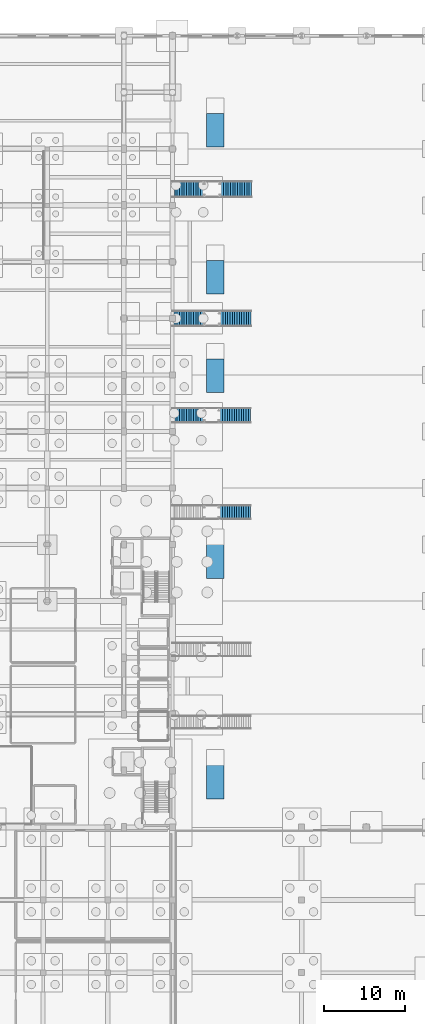
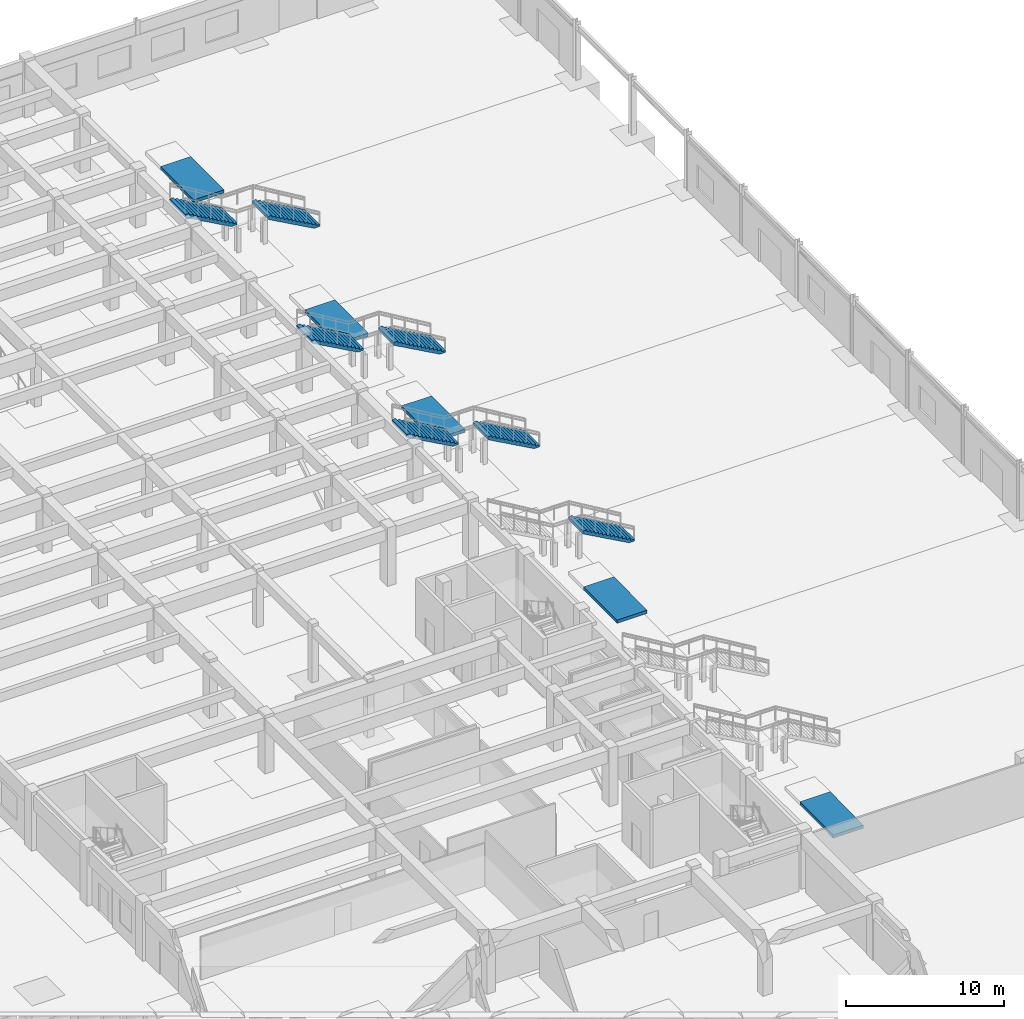
# One storey, part 65 of 84: 7 stair flights, 5 ramp flights, 9 elements without a shape of their own.
"""IFC4 building model written with IfcOpenShell, lengths in metres."""

from ifc_helpers import new_model, si_unit, direction, frame, origin, place, context, subcontext, project, spatial, polyline, outline, extrude, polygons, material, layer, layer_set, type_object, element, aggregate, save


model = new_model("IFC4")

# Units and contexts
model_context = context("Model", 3, precision=1e-05, world=origin(), true_north=direction((0.0, 1.0)))
body_context = subcontext(model_context, "Body", "Model", "MODEL_VIEW")
ifc_project = project(units=[si_unit("LENGTHUNIT", "METRE"), si_unit("AREAUNIT", "SQUARE_METRE"), si_unit("VOLUMEUNIT", "CUBIC_METRE"), si_unit("PLANEANGLEUNIT", "RADIAN"), si_unit("MASSUNIT", "GRAM", prefix="KILO")], contexts=[model_context])

# Site, building, storey
site_placement = place(None, origin())
site = spatial("IfcSite", under=ifc_project, at=site_placement, CompositionType="ELEMENT")
building_placement = place(site_placement, origin())
building = spatial("IfcBuilding", under=site, at=building_placement, Name="Larkveld Mobility Hub", CompositionType="ELEMENT")
storey_placement = place(building_placement, origin())
storey = spatial("IfcBuildingStorey", under=building, at=storey_placement, Name="L00", CompositionType="ELEMENT", Elevation=0.0)

# Stair, stair flight
ifc_material_1 = material(Name="Precast concrete C50/60", Category="concrete")
stair_type_1 = type_object("IfcStairType", Name="ST-SR-03", PredefinedType="STRAIGHT_RUN_STAIR", material=ifc_material_1)
stair_1_placement = place(storey_placement, origin())
stair_1 = element("IfcStair", 1, at=stair_1_placement, inside=storey, type_object=stair_type_1, Name="Central Bus Hall Straight Stair FS3", PredefinedType="STRAIGHT_RUN_STAIR")
stair_flight_type_1 = type_object("IfcStairFlightType", Name="SF-SR-03", PredefinedType="STRAIGHT", material=ifc_material_1)
stair_flight_1_placement = place(storey_placement, frame((161.68994140625, 67.0, 0.0), z_axis=(0.0, 0.0, 1.0), x_axis=(-1.0, 0.0, 0.0)))
stair_flight_1 = element("IfcStairFlight", 2, at=stair_flight_1_placement, type_object=stair_flight_type_1, Name="FS3 flight 1", NumberOfRisers=14, NumberOfTreads=13, PredefinedType="STRAIGHT", RiserHeight=0.160714286, TreadLength=0.29, context=body_context, shape_type="SweptSolid", body=[
    extrude(outline(polyline([(0.0, 0.0), (0.0, 0.16064453125), (0.2900390625, 0.16064453125), (0.2900390625, 0.321533203125), (0.580078125, 0.321533203125), (0.580078125, 0.482177734375), (0.8701171875, 0.482177734375), (0.8701171875, 0.642822265625), (1.159912109375, 0.642822265625), (1.159912109375, 0.803466796875), (1.449951171875, 0.803466796875), (1.449951171875, 0.96435546875), (1.739990234375, 0.96435546875), (1.739990234375, 1.125), (2.030029296875, 1.125), (2.030029296875, 1.28564453125), (2.320068359375, 1.28564453125), (2.320068359375, 1.446533203125), (2.610107421875, 1.446533203125), (2.610107421875, 1.607177734375), (2.89990234375, 1.607177734375), (2.89990234375, 1.767822265625), (3.18994140625, 1.767822265625), (3.18994140625, 1.928466796875), (3.47998046875, 1.928466796875), (3.47998046875, 2.08935546875), (3.77001953125, 2.08935546875), (3.77001953125, 2.25), (3.77001953125, 1.8720703125), (0.391845703125, 0.0), (0.0, 0.0)])), frame((0.0, 0.9150390625, 0.0), z_axis=(0.0, -1.0, 0.0), x_axis=(1.0, 0.0, 0.0)), (0.0, 0.0, 1.0), 1.830078125),
])
aggregate(stair_1, [stair_flight_1])

# Stair, stair flights
stair_type_2 = type_object("IfcStairType", Name="ST-SR-04", PredefinedType="STRAIGHT_RUN_STAIR", material=ifc_material_1)
stair_2_placement = place(storey_placement, origin())
stair_2 = element("IfcStair", 3, at=stair_2_placement, inside=storey, type_object=stair_type_2, Name="Intermodal Transfer Straight Stair FS4", PredefinedType="STRAIGHT_RUN_STAIR")
stair_flight_type_2 = type_object("IfcStairFlightType", Name="SF-SR-04", PredefinedType="STRAIGHT", material=ifc_material_1)
stair_flight_2_placement = place(storey_placement, frame((161.68994140625, 79.0, 0.0), z_axis=(0.0, 0.0, 1.0), x_axis=(-1.0, 0.0, 0.0)))
stair_flight_2 = element("IfcStairFlight", 4, at=stair_flight_2_placement, type_object=stair_flight_type_2, Name="FS4 flight 1", NumberOfRisers=14, NumberOfTreads=13, PredefinedType="STRAIGHT", RiserHeight=0.160714286, TreadLength=0.29, context=body_context, shape_type="SweptSolid", body=[
    extrude(outline(polyline([(0.0, 0.0), (0.0, 0.16064453125), (0.2900390625, 0.16064453125), (0.2900390625, 0.321533203125), (0.580078125, 0.321533203125), (0.580078125, 0.482177734375), (0.8701171875, 0.482177734375), (0.8701171875, 0.642822265625), (1.159912109375, 0.642822265625), (1.159912109375, 0.803466796875), (1.449951171875, 0.803466796875), (1.449951171875, 0.96435546875), (1.739990234375, 0.96435546875), (1.739990234375, 1.125), (2.030029296875, 1.125), (2.030029296875, 1.28564453125), (2.320068359375, 1.28564453125), (2.320068359375, 1.446533203125), (2.610107421875, 1.446533203125), (2.610107421875, 1.607177734375), (2.89990234375, 1.607177734375), (2.89990234375, 1.767822265625), (3.18994140625, 1.767822265625), (3.18994140625, 1.928466796875), (3.47998046875, 1.928466796875), (3.47998046875, 2.08935546875), (3.77001953125, 2.08935546875), (3.77001953125, 2.25), (3.77001953125, 1.8662109375), (0.40234375, 0.0), (0.0, 0.0)])), frame((0.0, 0.94482421875, 0.0), z_axis=(0.0, -1.0, 0.0), x_axis=(1.0, 0.0, 0.0)), (0.0, 0.0, 1.0), 1.889892578125),
])
stair_flight_3_placement = place(storey_placement, frame((155.77001953125, 79.0, 2.25), z_axis=(0.0, 0.0, 1.0), x_axis=(-1.0, 0.0, 0.0)))
stair_flight_3 = element("IfcStairFlight", 5, at=stair_flight_3_placement, type_object=stair_flight_type_2, Name="FS4 flight 2", NumberOfRisers=14, NumberOfTreads=13, PredefinedType="STRAIGHT", RiserHeight=0.160714286, TreadLength=0.29, context=body_context, shape_type="SweptSolid", body=[
    extrude(outline(polyline([(0.0, 0.0), (0.0, 0.16064453125), (0.2900390625, 0.16064453125), (0.2900390625, 0.321533203125), (0.580078125, 0.321533203125), (0.580078125, 0.482177734375), (0.8701171875, 0.482177734375), (0.8701171875, 0.642822265625), (1.159912109375, 0.642822265625), (1.159912109375, 0.803466796875), (1.449951171875, 0.803466796875), (1.449951171875, 0.96435546875), (1.739990234375, 0.96435546875), (1.739990234375, 1.125), (2.030029296875, 1.125), (2.030029296875, 1.28564453125), (2.320068359375, 1.28564453125), (2.320068359375, 1.446533203125), (2.610107421875, 1.446533203125), (2.610107421875, 1.607177734375), (2.89990234375, 1.607177734375), (2.89990234375, 1.767822265625), (3.18994140625, 1.767822265625), (3.18994140625, 1.928466796875), (3.47998046875, 1.928466796875), (3.47998046875, 2.08935546875), (3.77001953125, 2.08935546875), (3.77001953125, 2.25), (3.77001953125, 1.8662109375), (0.40234375, 0.0), (0.0, 0.0)])), frame((0.0, 0.94482421875, 0.0), z_axis=(0.0, -1.0, 0.0), x_axis=(1.0, 0.0, 0.0)), (0.0, 0.0, 1.0), 1.889892578125),
])
aggregate(stair_2, [stair_flight_2, stair_flight_3])

stair_type_3 = type_object("IfcStairType", Name="ST-SR-05", PredefinedType="STRAIGHT_RUN_STAIR", material=ifc_material_1)
stair_3_placement = place(storey_placement, origin())
stair_3 = element("IfcStair", 6, at=stair_3_placement, inside=storey, type_object=stair_type_3, Name="Taxi Concourse South Straight Stair FS5", PredefinedType="STRAIGHT_RUN_STAIR")
stair_flight_type_3 = type_object("IfcStairFlightType", Name="SF-SR-05", PredefinedType="STRAIGHT", material=ifc_material_1)
stair_flight_4_placement = place(storey_placement, frame((161.739990234375, 91.0, 0.0), z_axis=(0.0, 0.0, 1.0), x_axis=(-1.0, 0.0, 0.0)))
stair_flight_4 = element("IfcStairFlight", 7, at=stair_flight_4_placement, type_object=stair_flight_type_3, Name="FS5 flight 1", NumberOfRisers=14, NumberOfTreads=13, PredefinedType="STRAIGHT", RiserHeight=0.160714286, TreadLength=0.29, context=body_context, shape_type="SweptSolid", body=[
    extrude(outline(polyline([(0.0, 0.0), (0.0, 0.16064453125), (0.2900390625, 0.16064453125), (0.2900390625, 0.321533203125), (0.580078125, 0.321533203125), (0.580078125, 0.482177734375), (0.8701171875, 0.482177734375), (0.8701171875, 0.642822265625), (1.159912109375, 0.642822265625), (1.159912109375, 0.803466796875), (1.449951171875, 0.803466796875), (1.449951171875, 0.96435546875), (1.739990234375, 0.96435546875), (1.739990234375, 1.125), (2.030029296875, 1.125), (2.030029296875, 1.28564453125), (2.320068359375, 1.28564453125), (2.320068359375, 1.446533203125), (2.610107421875, 1.446533203125), (2.610107421875, 1.607177734375), (2.89990234375, 1.607177734375), (2.89990234375, 1.767822265625), (3.18994140625, 1.767822265625), (3.18994140625, 1.928466796875), (3.47998046875, 1.928466796875), (3.47998046875, 2.08935546875), (3.77001953125, 2.08935546875), (3.77001953125, 2.25), (3.77001953125, 1.860595703125), (0.41259765625, 0.0), (0.0, 0.0)])), frame((0.0, 0.97509765625, 0.0), z_axis=(0.0, -1.0, 0.0), x_axis=(1.0, 0.0, 0.0)), (0.0, 0.0, 1.0), 1.949951171875),
])
stair_flight_5_placement = place(storey_placement, frame((155.77001953125, 91.0, 2.25), z_axis=(0.0, 0.0, 1.0), x_axis=(-1.0, 0.0, 0.0)))
stair_flight_5 = element("IfcStairFlight", 8, at=stair_flight_5_placement, type_object=stair_flight_type_3, Name="FS5 flight 2", NumberOfRisers=14, NumberOfTreads=13, PredefinedType="STRAIGHT", RiserHeight=0.160714286, TreadLength=0.29, context=body_context, shape_type="SweptSolid", body=[
    extrude(outline(polyline([(0.0, 0.0), (0.0, 0.16064453125), (0.2900390625, 0.16064453125), (0.2900390625, 0.321533203125), (0.580078125, 0.321533203125), (0.580078125, 0.482177734375), (0.8701171875, 0.482177734375), (0.8701171875, 0.642822265625), (1.159912109375, 0.642822265625), (1.159912109375, 0.803466796875), (1.449951171875, 0.803466796875), (1.449951171875, 0.96435546875), (1.739990234375, 0.96435546875), (1.739990234375, 1.125), (2.030029296875, 1.125), (2.030029296875, 1.28564453125), (2.320068359375, 1.28564453125), (2.320068359375, 1.446533203125), (2.610107421875, 1.446533203125), (2.610107421875, 1.607177734375), (2.89990234375, 1.607177734375), (2.89990234375, 1.767822265625), (3.18994140625, 1.767822265625), (3.18994140625, 1.928466796875), (3.47998046875, 1.928466796875), (3.47998046875, 2.08935546875), (3.77001953125, 2.08935546875), (3.77001953125, 2.25), (3.77001953125, 1.860595703125), (0.41259765625, 0.0), (0.0, 0.0)])), frame((0.0, 0.97509765625, 0.0), z_axis=(0.0, -1.0, 0.0), x_axis=(1.0, 0.0, 0.0)), (0.0, 0.0, 1.0), 1.949951171875),
])
aggregate(stair_3, [stair_flight_4, stair_flight_5])

stair_type_4 = type_object("IfcStairType", Name="ST-SR-06", PredefinedType="STRAIGHT_RUN_STAIR", material=ifc_material_1)
stair_4_placement = place(storey_placement, origin())
stair_4 = element("IfcStair", 9, at=stair_4_placement, inside=storey, type_object=stair_type_4, Name="Taxi Concourse North Straight Stair FS6", PredefinedType="STRAIGHT_RUN_STAIR")
stair_flight_type_4 = type_object("IfcStairFlightType", Name="SF-SR-06", PredefinedType="STRAIGHT", material=ifc_material_1)
stair_flight_6_placement = place(storey_placement, frame((161.800048828125, 107.0, 0.0), z_axis=(0.0, 0.0, 1.0), x_axis=(-1.0, 0.0, 0.0)))
stair_flight_6 = element("IfcStairFlight", 10, at=stair_flight_6_placement, type_object=stair_flight_type_4, Name="FS6 flight 1", NumberOfRisers=14, NumberOfTreads=13, PredefinedType="STRAIGHT", RiserHeight=0.160714286, TreadLength=0.29, context=body_context, shape_type="SweptSolid", body=[
    extrude(outline(polyline([(0.0, 0.0), (0.0, 0.16064453125), (0.2900390625, 0.16064453125), (0.2900390625, 0.321533203125), (0.580078125, 0.321533203125), (0.580078125, 0.482177734375), (0.8701171875, 0.482177734375), (0.8701171875, 0.642822265625), (1.159912109375, 0.642822265625), (1.159912109375, 0.803466796875), (1.449951171875, 0.803466796875), (1.449951171875, 0.96435546875), (1.739990234375, 0.96435546875), (1.739990234375, 1.125), (2.030029296875, 1.125), (2.030029296875, 1.28564453125), (2.320068359375, 1.28564453125), (2.320068359375, 1.446533203125), (2.610107421875, 1.446533203125), (2.610107421875, 1.607177734375), (2.89990234375, 1.607177734375), (2.89990234375, 1.767822265625), (3.18994140625, 1.767822265625), (3.18994140625, 1.928466796875), (3.47998046875, 1.928466796875), (3.47998046875, 2.08935546875), (3.77001953125, 2.08935546875), (3.77001953125, 2.25), (3.77001953125, 1.854736328125), (0.423095703125, 0.0), (0.0, 0.0)])), frame((0.0, 1.0048828125, 0.0), z_axis=(0.0, -1.0, 0.0), x_axis=(1.0, 0.0, 0.0)), (0.0, 0.0, 1.0), 2.010009765625),
])
stair_flight_7_placement = place(storey_placement, frame((155.77001953125, 107.0, 2.25), z_axis=(0.0, 0.0, 1.0), x_axis=(-1.0, 0.0, 0.0)))
stair_flight_7 = element("IfcStairFlight", 11, at=stair_flight_7_placement, type_object=stair_flight_type_4, Name="FS6 flight 2", NumberOfRisers=14, NumberOfTreads=13, PredefinedType="STRAIGHT", RiserHeight=0.160714286, TreadLength=0.29, context=body_context, shape_type="SweptSolid", body=[
    extrude(outline(polyline([(0.0, 0.0), (0.0, 0.16064453125), (0.2900390625, 0.16064453125), (0.2900390625, 0.321533203125), (0.580078125, 0.321533203125), (0.580078125, 0.482177734375), (0.8701171875, 0.482177734375), (0.8701171875, 0.642822265625), (1.159912109375, 0.642822265625), (1.159912109375, 0.803466796875), (1.449951171875, 0.803466796875), (1.449951171875, 0.96435546875), (1.739990234375, 0.96435546875), (1.739990234375, 1.125), (2.030029296875, 1.125), (2.030029296875, 1.28564453125), (2.320068359375, 1.28564453125), (2.320068359375, 1.446533203125), (2.610107421875, 1.446533203125), (2.610107421875, 1.607177734375), (2.89990234375, 1.607177734375), (2.89990234375, 1.767822265625), (3.18994140625, 1.767822265625), (3.18994140625, 1.928466796875), (3.47998046875, 1.928466796875), (3.47998046875, 2.08935546875), (3.77001953125, 2.08935546875), (3.77001953125, 2.25), (3.77001953125, 1.854736328125), (0.423095703125, 0.0), (0.0, 0.0)])), frame((0.0, 1.0048828125, 0.0), z_axis=(0.0, -1.0, 0.0), x_axis=(1.0, 0.0, 0.0)), (0.0, 0.0, 1.0), 2.010009765625),
])
aggregate(stair_4, [stair_flight_6, stair_flight_7])

# Ramp, ramp flight
ifc_material_2 = material(Name="Concrete C40/50", Category="concrete")
ramp_type = type_object("IfcRampType", Name="RMP-STR-01", PredefinedType="STRAIGHT_RUN_RAMP", material=ifc_material_2)
ramp_1_placement = place(storey_placement, origin())
ramp_1 = element("IfcRamp", 12, at=ramp_1_placement, inside=storey, type_object=ramp_type, Name="Bus Concourse South Accessible Boarding Ramp", PredefinedType="STRAIGHT_RUN_RAMP")
ifc_layer = layer(ifc_material_2, 0.239990234375, Name="Concrete C40/50", Category="concrete")
ifc_layer_set = layer_set([ifc_layer], Name="Concrete C40/50")
ramp_flight_type = type_object("IfcRampFlightType", Name="RFL-STR-240", PredefinedType="STRAIGHT", material=ifc_layer_set)
ramp_flight_1_placement = place(storey_placement, origin())
ramp_flight_1 = element("IfcRampFlight", 13, at=ramp_flight_1_placement, type_object=ramp_flight_type, Name="Bus Concourse South Accessible Boarding Ramp Flight 1", PredefinedType="STRAIGHT", context=body_context, shape_type="Tessellation", body=[
    polygons([(156.199951171875, 31.5, 0.239990234375), (158.39990234375, 31.5, 0.239990234375), (158.39990234375, 35.699951171875, 0.280029296875), (156.199951171875, 35.699951171875, 0.280029296875), (156.199951171875, 31.5, 0.0), (158.39990234375, 31.5, 0.0), (158.39990234375, 35.699951171875, 0.0400390625), (156.199951171875, 35.699951171875, 0.0400390625)], [[[1, 2, 3]], [[1, 3, 4]], [[5, 7, 6]], [[5, 8, 7]], [[1, 5, 6]], [[1, 6, 2]], [[2, 6, 7]], [[2, 7, 3]], [[3, 7, 8]], [[3, 8, 4]], [[4, 8, 5]], [[4, 5, 1]]], closed=True),
])
aggregate(ramp_1, [ramp_flight_1])

ramp_2_placement = place(storey_placement, origin())
ramp_2 = element("IfcRamp", 14, at=ramp_2_placement, inside=storey, type_object=ramp_type, Name="Bus Concourse Central Accessible Boarding Ramp", PredefinedType="STRAIGHT_RUN_RAMP")
ramp_flight_2_placement = place(storey_placement, origin())
ramp_flight_2 = element("IfcRampFlight", 15, at=ramp_flight_2_placement, type_object=ramp_flight_type, Name="Bus Concourse Central Accessible Boarding Ramp Flight 1", PredefinedType="STRAIGHT", context=body_context, shape_type="Tessellation", body=[
    polygons([(156.199951171875, 58.800048828125, 0.239990234375), (158.39990234375, 58.800048828125, 0.239990234375), (158.39990234375, 63.0, 0.280029296875), (156.199951171875, 63.0, 0.280029296875), (156.199951171875, 58.800048828125, 0.0), (158.39990234375, 58.800048828125, 0.0), (158.39990234375, 63.0, 0.0400390625), (156.199951171875, 63.0, 0.0400390625)], [[[1, 2, 3]], [[1, 3, 4]], [[5, 7, 6]], [[5, 8, 7]], [[1, 5, 6]], [[1, 6, 2]], [[2, 6, 7]], [[2, 7, 3]], [[3, 7, 8]], [[3, 8, 4]], [[4, 8, 5]], [[4, 5, 1]]], closed=True),
])
aggregate(ramp_2, [ramp_flight_2])

ramp_3_placement = place(storey_placement, origin())
ramp_3 = element("IfcRamp", 16, at=ramp_3_placement, inside=storey, type_object=ramp_type, Name="Intermodal Concourse Accessible Boarding Ramp", PredefinedType="STRAIGHT_RUN_RAMP")
ramp_flight_3_placement = place(storey_placement, origin())
ramp_flight_3 = element("IfcRampFlight", 17, at=ramp_flight_3_placement, type_object=ramp_flight_type, Name="Intermodal Concourse Accessible Boarding Ramp Flight 1", PredefinedType="STRAIGHT", context=body_context, shape_type="Tessellation", body=[
    polygons([(156.199951171875, 81.800048828125, 0.239990234375), (158.39990234375, 81.800048828125, 0.239990234375), (158.39990234375, 86.0, 0.280029296875), (156.199951171875, 86.0, 0.280029296875), (156.199951171875, 81.800048828125, 0.0), (158.39990234375, 81.800048828125, 0.0), (158.39990234375, 86.0, 0.0400390625), (156.199951171875, 86.0, 0.0400390625)], [[[1, 2, 3]], [[1, 3, 4]], [[5, 7, 6]], [[5, 8, 7]], [[1, 5, 6]], [[1, 6, 2]], [[2, 6, 7]], [[2, 7, 3]], [[3, 7, 8]], [[3, 8, 4]], [[4, 8, 5]], [[4, 5, 1]]], closed=True),
])
aggregate(ramp_3, [ramp_flight_3])

ramp_4_placement = place(storey_placement, origin())
ramp_4 = element("IfcRamp", 18, at=ramp_4_placement, inside=storey, type_object=ramp_type, Name="Taxi Concourse South Accessible Boarding Ramp", PredefinedType="STRAIGHT_RUN_RAMP")
ramp_flight_4_placement = place(storey_placement, origin())
ramp_flight_4 = element("IfcRampFlight", 19, at=ramp_flight_4_placement, type_object=ramp_flight_type, Name="Taxi Concourse South Accessible Boarding Ramp Flight 1", PredefinedType="STRAIGHT", context=body_context, shape_type="Tessellation", body=[
    polygons([(156.199951171875, 94.0, 0.239990234375), (158.39990234375, 94.0, 0.239990234375), (158.39990234375, 98.199951171875, 0.280029296875), (156.199951171875, 98.199951171875, 0.280029296875), (156.199951171875, 94.0, 0.0), (158.39990234375, 94.0, 0.0), (158.39990234375, 98.199951171875, 0.0400390625), (156.199951171875, 98.199951171875, 0.0400390625)], [[[1, 2, 3]], [[1, 3, 4]], [[5, 7, 6]], [[5, 8, 7]], [[1, 5, 6]], [[1, 6, 2]], [[2, 6, 7]], [[2, 7, 3]], [[3, 7, 8]], [[3, 8, 4]], [[4, 8, 5]], [[4, 5, 1]]], closed=True),
])
aggregate(ramp_4, [ramp_flight_4])

ramp_5_placement = place(storey_placement, origin())
ramp_5 = element("IfcRamp", 20, at=ramp_5_placement, inside=storey, type_object=ramp_type, Name="Taxi Concourse North Accessible Boarding Ramp", PredefinedType="STRAIGHT_RUN_RAMP")
ramp_flight_5_placement = place(storey_placement, origin())
ramp_flight_5 = element("IfcRampFlight", 21, at=ramp_flight_5_placement, type_object=ramp_flight_type, Name="Taxi Concourse North Accessible Boarding Ramp Flight 1", PredefinedType="STRAIGHT", context=body_context, shape_type="Tessellation", body=[
    polygons([(156.199951171875, 112.199951171875, 0.239990234375), (158.39990234375, 112.199951171875, 0.239990234375), (158.39990234375, 116.39990234375, 0.280029296875), (156.199951171875, 116.39990234375, 0.280029296875), (156.199951171875, 112.199951171875, 0.0), (158.39990234375, 112.199951171875, 0.0), (158.39990234375, 116.39990234375, 0.0400390625), (156.199951171875, 116.39990234375, 0.0400390625)], [[[1, 2, 3]], [[1, 3, 4]], [[5, 7, 6]], [[5, 8, 7]], [[1, 5, 6]], [[1, 6, 2]], [[2, 6, 7]], [[2, 7, 3]], [[3, 7, 8]], [[3, 8, 4]], [[4, 8, 5]], [[4, 5, 1]]], closed=True),
])
aggregate(ramp_5, [ramp_flight_5])

save(model, "model.ifc")
